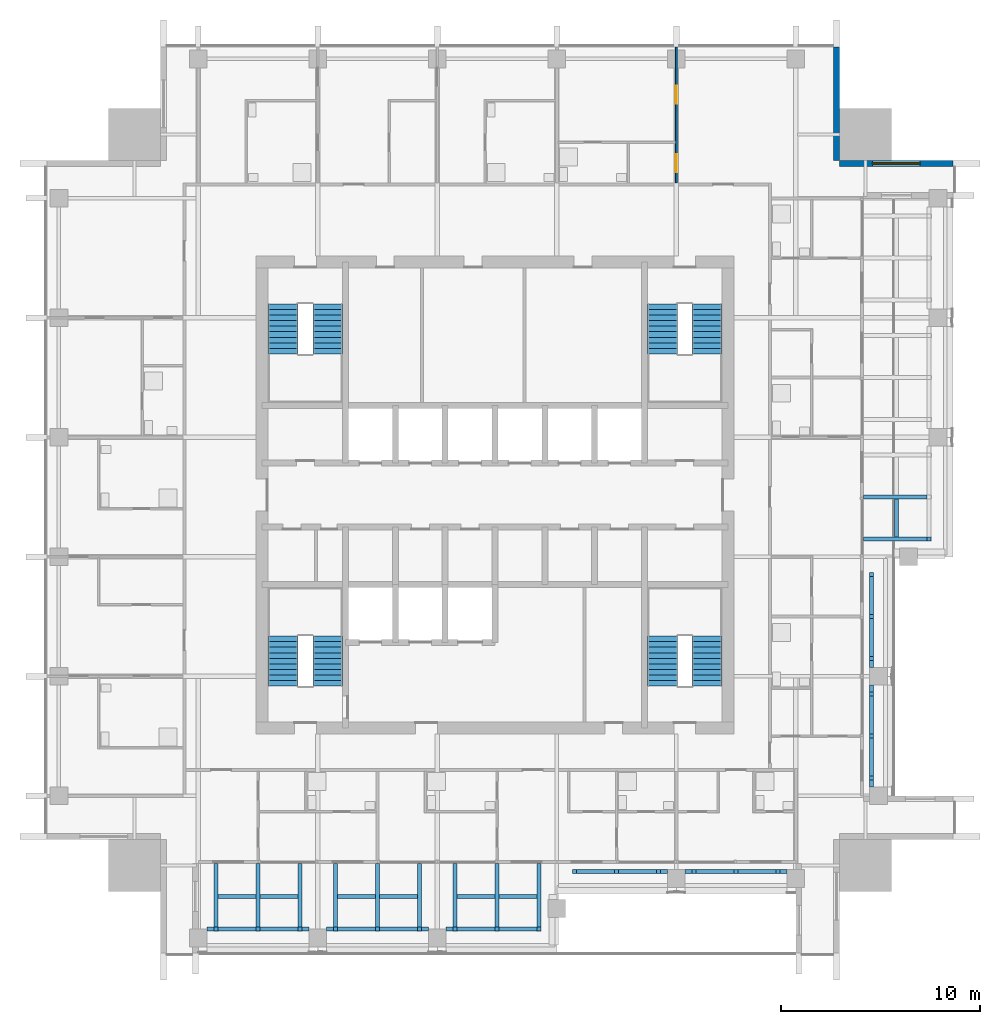
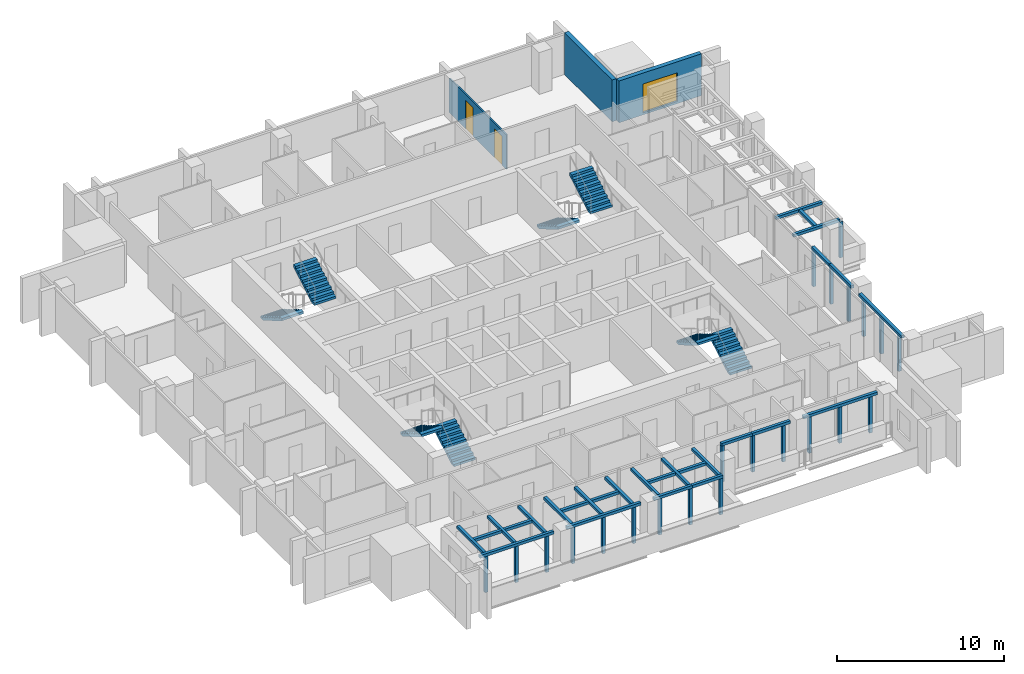
# One storey, part 13 of 17: 50 discrete accessories, 8 stair flights, 3 walls, 2 doors, 1 window, 3 openings, 4 elements without a shape of their own.
"""IFC4 building model written with IfcOpenShell, lengths in metres."""

from ifc_helpers import new_model, si_unit, direction, frame, frame_2d, origin, origin_2d, place, context, subcontext, project, spatial, polyline, rectangle, outline, extrude, material, layer, layer_set, type_object, element, fill, aggregate, save


model = new_model("IFC4")

# Units and contexts
model_context = context("Model", 3, precision=1e-05, world=origin(), true_north=direction((0.0, 1.0)))
body_context = subcontext(model_context, "Body", "Model", "MODEL_VIEW")
ifc_project = project(units=[si_unit("LENGTHUNIT", "METRE"), si_unit("AREAUNIT", "SQUARE_METRE"), si_unit("VOLUMEUNIT", "CUBIC_METRE"), si_unit("PLANEANGLEUNIT", "RADIAN"), si_unit("MASSUNIT", "GRAM", prefix="KILO")], contexts=[model_context])

# Site, building, storey
site_placement = place(None, origin())
site = spatial("IfcSite", under=ifc_project, at=site_placement, CompositionType="ELEMENT")
building_placement = place(site_placement, origin())
building = spatial("IfcBuilding", under=site, at=building_placement, Name="Amberfall Residences", CompositionType="ELEMENT")
storey_placement = place(building_placement, frame((0.0, 0.0, 216.699951171875)))
storey = spatial("IfcBuildingStorey", under=building, at=storey_placement, Name="L58", CompositionType="ELEMENT", Elevation=216.699951171875)

# Wall, opening, window
ifc_material_1 = material(Name="Pale stone cladding on insulated backing", Category="masonry")
ifc_layer_1 = layer(ifc_material_1, 0.300048828125)
ifc_layer_set_1 = layer_set([ifc_layer_1], Name="Bronze clad wall 300")
wall_type_1 = type_object("IfcWallType", Name="Bronze clad wall 300", PredefinedType="SOLIDWALL", material=ifc_layer_set_1)
wall_1_placement = place(storey_placement, frame((97.5, 62.14990234375, 0.0), z_axis=(0.0, 0.0, 1.0), x_axis=(-1.0, 0.0, 0.0)))
wall_1 = element("IfcWall", 1, at=wall_1_placement, inside=storey, type_object=wall_type_1, Name="External wall L58 NE", PredefinedType="SOLIDWALL", context=body_context, shape_type="SweptSolid", body=[
    extrude(rectangle(XDim=5.699951171875, YDim=0.300048828125, at=frame_2d((2.85009765625, 0.0))), origin(), (0.0, 0.0, 1.0), 3.050048828125),
])
opening_1_placement = place(wall_1_placement, frame((1.64990234375, 0.0, 0.14990234375)))
opening_1 = element("IfcOpeningElement", 2, at=opening_1_placement, cuts=wall_1, Name="Opening WN5", PredefinedType="OPENING", context=body_context, shape_type="SweptSolid", body=[
    extrude(rectangle(XDim=2.39990234375, YDim=2.10009765625, at=frame_2d((1.199951171875, 1.050048828125))), frame((0.0, 0.159912109375, 0.0), z_axis=(0.0, -1.0, 0.0), x_axis=(1.0, 0.0, 0.0)), (0.0, 0.0, 1.0), 0.320068359375),
])
ifc_material_2 = material(Name="Bronze aluminium framed glazing", Category="aluminium")
window_type = type_object("IfcWindowType", Name="Glazed opening 2400 x 2100 bronze", PartitioningType="DOUBLE_PANEL_VERTICAL", PredefinedType="WINDOW", material=ifc_material_2)
window_placement = place(opening_1_placement, origin())
window = element("IfcWindow", 3, at=window_placement, inside=storey, type_object=window_type, Name="Window L58 NE", OverallHeight=2.10009765625, OverallWidth=2.39990234375, PartitioningType="DOUBLE_PANEL_VERTICAL", PredefinedType="WINDOW", context=body_context, shape_type="SweptSolid", body=[
    extrude(rectangle(XDim=2.39990234375, YDim=2.10009765625, at=frame_2d((1.199951171875, 1.050048828125))), frame((0.0, 0.030029296875, 0.0), z_axis=(0.0, -1.0, 0.0), x_axis=(1.0, 0.0, 0.0)), (0.0, 0.0, 1.0), 0.06005859375),
])
fill(opening_1, window)

# Wall
wall_2_placement = place(storey_placement, frame((91.64990234375, 62.300048828125, 0.0), z_axis=(0.0, 0.0, 1.0), x_axis=(0.0, 1.0, 0.0)))
element("IfcWall", 4, at=wall_2_placement, inside=storey, type_object=wall_type_1, Name="External wall L58 NE", PredefinedType="SOLIDWALL", context=body_context, shape_type="SweptSolid", body=[
    extrude(rectangle(XDim=5.699951171875, YDim=0.300048828125, at=frame_2d((2.85009765625, 0.0))), origin(), (0.0, 0.0, 1.0), 3.050048828125),
])

# Wall, openings, doors
ifc_material_3 = material(Name="Gypsum board on metal stud")
ifc_layer_2 = layer(ifc_material_3, 0.10009765625)
ifc_layer_set_2 = layer_set([ifc_layer_2], Name="Flat partition 100")
wall_type_2 = type_object("IfcWallType", Name="Flat partition 100", PredefinedType="PARTITIONING", material=ifc_layer_set_2)
wall_3_placement = place(storey_placement, frame((83.60009765625, 61.175048828125, 0.0), z_axis=(0.0, 0.0, 1.0), x_axis=(0.0, 1.0, 0.0)))
wall_3 = element("IfcWall", 5, at=wall_3_placement, inside=storey, type_object=wall_type_2, Name="Partition 017", PredefinedType="PARTITIONING", context=body_context, shape_type="SweptSolid", body=[
    extrude(rectangle(XDim=6.824951171875, YDim=0.10009765625, at=frame_2d((3.41259765625, 0.0))), origin(), (0.0, 0.0, 1.0), 2.51611328125),
])
opening_2_placement = place(wall_3_placement, frame((0.52490234375, 0.0, 0.0)))
opening_2 = element("IfcOpeningElement", 6, at=opening_2_placement, cuts=wall_3, Name="Opening D41", PredefinedType="OPENING", context=body_context, shape_type="SweptSolid", body=[
    extrude(rectangle(XDim=0.89990234375, YDim=2.10009765625, at=frame_2d((0.449951171875, 1.050048828125))), frame((0.0, 0.06005859375, 0.0), z_axis=(0.0, -1.0, 0.0), x_axis=(1.0, 0.0, 0.0)), (0.0, 0.0, 1.0), 0.1201171875),
])
opening_3_placement = place(wall_3_placement, frame((3.97509765625, 0.0, 0.0)))
opening_3 = element("IfcOpeningElement", 7, at=opening_3_placement, cuts=wall_3, Name="Opening D41", PredefinedType="OPENING", context=body_context, shape_type="SweptSolid", body=[
    extrude(rectangle(XDim=0.89990234375, YDim=2.10009765625, at=frame_2d((0.449951171875, 1.050048828125))), frame((0.0, 0.06005859375, 0.0), z_axis=(0.0, -1.0, 0.0), x_axis=(1.0, 0.0, 0.0)), (0.0, 0.0, 1.0), 0.1201171875),
])
ifc_material_4 = material(Name="Timber", Category="wood")
door_type = type_object("IfcDoorType", Name="Internal door 900 x 2100", OperationType="SINGLE_SWING_LEFT", PredefinedType="DOOR", material=ifc_material_4)
door_1_placement = place(opening_2_placement, origin())
door_1 = element("IfcDoor", 8, at=door_1_placement, inside=storey, type_object=door_type, Name="Door 5808 kitchen", OperationType="SINGLE_SWING_LEFT", OverallHeight=2.10009765625, OverallWidth=0.89990234375, PredefinedType="DOOR", context=body_context, shape_type="SweptSolid", body=[
    extrude(rectangle(XDim=0.89990234375, YDim=2.10009765625, at=frame_2d((0.449951171875, 1.050048828125))), frame((0.0, 0.02490234375, 0.0), z_axis=(0.0, -1.0, 0.0), x_axis=(1.0, 0.0, 0.0)), (0.0, 0.0, 1.0), 0.050048828125),
])
fill(opening_2, door_1)
door_2_placement = place(opening_3_placement, origin())
door_2 = element("IfcDoor", 9, at=door_2_placement, inside=storey, type_object=door_type, Name="Door 5808 bedroom1", OperationType="SINGLE_SWING_LEFT", OverallHeight=2.10009765625, OverallWidth=0.89990234375, PredefinedType="DOOR", context=body_context, shape_type="SweptSolid", body=[
    extrude(rectangle(XDim=0.89990234375, YDim=2.10009765625, at=frame_2d((0.449951171875, 1.050048828125))), frame((0.0, 0.02490234375, 0.0), z_axis=(0.0, -1.0, 0.0), x_axis=(1.0, 0.0, 0.0)), (0.0, 0.0, 1.0), 0.050048828125),
])
fill(opening_3, door_2)

# Stair, stair flights
ifc_material_5 = material(Name="Concrete C40", Category="concrete")
stair_type = type_object("IfcStairType", Name="Exit stair 20 risers 165.0 mm", PredefinedType="HALF_TURN_STAIR", material=ifc_material_5)
stair_1_placement = place(storey_placement, origin())
stair_1 = element("IfcStair", 10, at=stair_1_placement, inside=storey, type_object=stair_type, Name="L58 Exit stair 1", PredefinedType="HALF_TURN_STAIR")
stair_flight_type = type_object("IfcStairFlightType", Name="Stair flight 10 risers 165.0 mm", PredefinedType="STRAIGHT", material=ifc_material_5)
stair_flight_1_placement = place(storey_placement, frame((66.10009765625, 35.89990234375, 0.0), z_axis=(0.0, 0.0, 1.0), x_axis=(0.0, 1.0, 0.0)))
stair_flight_1 = element("IfcStairFlight", 11, at=stair_flight_1_placement, type_object=stair_flight_type, Name="ST3 flight 1", NumberOfRisers=10, NumberOfTreads=9, PredefinedType="STRAIGHT", RiserHeight=0.165, TreadLength=0.28, context=body_context, shape_type="SweptSolid", body=[
    extrude(outline(polyline([(0.0, 0.0), (0.0, 0.1650390625), (0.280029296875, 0.1650390625), (0.280029296875, 0.330078125), (0.56005859375, 0.330078125), (0.56005859375, 0.4951171875), (0.840087890625, 0.4951171875), (0.840087890625, 0.659912109375), (1.1201171875, 0.659912109375), (1.1201171875, 0.824951171875), (1.39990234375, 0.824951171875), (1.39990234375, 0.989990234375), (1.679931640625, 0.989990234375), (1.679931640625, 1.155029296875), (1.9599609375, 1.155029296875), (1.9599609375, 1.320068359375), (2.239990234375, 1.320068359375), (2.239990234375, 1.485107421875), (2.52001953125, 1.485107421875), (2.52001953125, 1.64990234375), (2.52001953125, 1.31103515625), (0.295166015625, 0.0), (0.0, 0.0)])), frame((0.0, 0.75, 0.0), z_axis=(0.0, -1.0, 0.0), x_axis=(1.0, 0.0, 0.0)), (0.0, 0.0, 1.0), 1.5),
])
stair_flight_2_placement = place(storey_placement, frame((63.85009765625, 38.419921875, 1.650146484375), z_axis=(0.0, 0.0, 1.0), x_axis=(0.0, -1.0, 0.0)))
stair_flight_2 = element("IfcStairFlight", 12, at=stair_flight_2_placement, type_object=stair_flight_type, Name="ST3 flight 2", NumberOfRisers=10, NumberOfTreads=9, PredefinedType="STRAIGHT", RiserHeight=0.165, TreadLength=0.28, context=body_context, shape_type="SweptSolid", body=[
    extrude(outline(polyline([(0.0, 0.0), (0.0, 0.1650390625), (0.280029296875, 0.1650390625), (0.280029296875, 0.330078125), (0.56005859375, 0.330078125), (0.56005859375, 0.4951171875), (0.840087890625, 0.4951171875), (0.840087890625, 0.659912109375), (1.1201171875, 0.659912109375), (1.1201171875, 0.824951171875), (1.39990234375, 0.824951171875), (1.39990234375, 0.989990234375), (1.679931640625, 0.989990234375), (1.679931640625, 1.155029296875), (1.9599609375, 1.155029296875), (1.9599609375, 1.320068359375), (2.239990234375, 1.320068359375), (2.239990234375, 1.485107421875), (2.52001953125, 1.485107421875), (2.52001953125, 1.64990234375), (2.52001953125, 1.31103515625), (0.295166015625, 0.0), (0.0, 0.0)])), frame((0.0, 0.75, 0.0), z_axis=(0.0, -1.0, 0.0), x_axis=(1.0, 0.0, 0.0)), (0.0, 0.0, 1.0), 1.5),
])
aggregate(stair_1, [stair_flight_1, stair_flight_2])

stair_2_placement = place(storey_placement, origin())
stair_2 = element("IfcStair", 13, at=stair_2_placement, inside=storey, type_object=stair_type, Name="L58 Exit stair 2", PredefinedType="HALF_TURN_STAIR")
stair_flight_3_placement = place(storey_placement, frame((85.14990234375, 35.89990234375, 0.0), z_axis=(0.0, 0.0, 1.0), x_axis=(0.0, 1.0, 0.0)))
stair_flight_3 = element("IfcStairFlight", 14, at=stair_flight_3_placement, type_object=stair_flight_type, Name="ST3 flight 1", NumberOfRisers=10, NumberOfTreads=9, PredefinedType="STRAIGHT", RiserHeight=0.165, TreadLength=0.28, context=body_context, shape_type="SweptSolid", body=[
    extrude(outline(polyline([(0.0, 0.0), (0.0, 0.1650390625), (0.280029296875, 0.1650390625), (0.280029296875, 0.330078125), (0.56005859375, 0.330078125), (0.56005859375, 0.4951171875), (0.840087890625, 0.4951171875), (0.840087890625, 0.659912109375), (1.1201171875, 0.659912109375), (1.1201171875, 0.824951171875), (1.39990234375, 0.824951171875), (1.39990234375, 0.989990234375), (1.679931640625, 0.989990234375), (1.679931640625, 1.155029296875), (1.9599609375, 1.155029296875), (1.9599609375, 1.320068359375), (2.239990234375, 1.320068359375), (2.239990234375, 1.485107421875), (2.52001953125, 1.485107421875), (2.52001953125, 1.64990234375), (2.52001953125, 1.31103515625), (0.295166015625, 0.0), (0.0, 0.0)])), frame((0.0, 0.75, 0.0), z_axis=(0.0, -1.0, 0.0), x_axis=(1.0, 0.0, 0.0)), (0.0, 0.0, 1.0), 1.5),
])
stair_flight_4_placement = place(storey_placement, frame((82.89990234375, 38.419921875, 1.650146484375), z_axis=(0.0, 0.0, 1.0), x_axis=(0.0, -1.0, 0.0)))
stair_flight_4 = element("IfcStairFlight", 15, at=stair_flight_4_placement, type_object=stair_flight_type, Name="ST3 flight 2", NumberOfRisers=10, NumberOfTreads=9, PredefinedType="STRAIGHT", RiserHeight=0.165, TreadLength=0.28, context=body_context, shape_type="SweptSolid", body=[
    extrude(outline(polyline([(0.0, 0.0), (0.0, 0.1650390625), (0.280029296875, 0.1650390625), (0.280029296875, 0.330078125), (0.56005859375, 0.330078125), (0.56005859375, 0.4951171875), (0.840087890625, 0.4951171875), (0.840087890625, 0.659912109375), (1.1201171875, 0.659912109375), (1.1201171875, 0.824951171875), (1.39990234375, 0.824951171875), (1.39990234375, 0.989990234375), (1.679931640625, 0.989990234375), (1.679931640625, 1.155029296875), (1.9599609375, 1.155029296875), (1.9599609375, 1.320068359375), (2.239990234375, 1.320068359375), (2.239990234375, 1.485107421875), (2.52001953125, 1.485107421875), (2.52001953125, 1.64990234375), (2.52001953125, 1.31103515625), (0.295166015625, 0.0), (0.0, 0.0)])), frame((0.0, 0.75, 0.0), z_axis=(0.0, -1.0, 0.0), x_axis=(1.0, 0.0, 0.0)), (0.0, 0.0, 1.0), 1.5),
])
aggregate(stair_2, [stair_flight_3, stair_flight_4])

stair_3_placement = place(storey_placement, origin())
stair_3 = element("IfcStair", 16, at=stair_3_placement, inside=storey, type_object=stair_type, Name="L58 Exit stair 3", PredefinedType="HALF_TURN_STAIR")
stair_flight_5_placement = place(storey_placement, frame((82.89990234375, 55.10009765625, 0.0), z_axis=(0.0, 0.0, 1.0), x_axis=(0.0, -1.0, 0.0)))
stair_flight_5 = element("IfcStairFlight", 17, at=stair_flight_5_placement, type_object=stair_flight_type, Name="ST3 flight 1", NumberOfRisers=10, NumberOfTreads=9, PredefinedType="STRAIGHT", RiserHeight=0.165, TreadLength=0.28, context=body_context, shape_type="SweptSolid", body=[
    extrude(outline(polyline([(0.0, 0.0), (0.0, 0.1650390625), (0.280029296875, 0.1650390625), (0.280029296875, 0.330078125), (0.56005859375, 0.330078125), (0.56005859375, 0.4951171875), (0.840087890625, 0.4951171875), (0.840087890625, 0.659912109375), (1.1201171875, 0.659912109375), (1.1201171875, 0.824951171875), (1.39990234375, 0.824951171875), (1.39990234375, 0.989990234375), (1.679931640625, 0.989990234375), (1.679931640625, 1.155029296875), (1.9599609375, 1.155029296875), (1.9599609375, 1.320068359375), (2.239990234375, 1.320068359375), (2.239990234375, 1.485107421875), (2.52001953125, 1.485107421875), (2.52001953125, 1.64990234375), (2.52001953125, 1.31103515625), (0.295166015625, 0.0), (0.0, 0.0)])), frame((0.0, 0.75, 0.0), z_axis=(0.0, -1.0, 0.0), x_axis=(1.0, 0.0, 0.0)), (0.0, 0.0, 1.0), 1.5),
])
stair_flight_6_placement = place(storey_placement, frame((85.14990234375, 52.580078125, 1.650146484375), z_axis=(0.0, 0.0, 1.0), x_axis=(0.0, 1.0, 0.0)))
stair_flight_6 = element("IfcStairFlight", 18, at=stair_flight_6_placement, type_object=stair_flight_type, Name="ST3 flight 2", NumberOfRisers=10, NumberOfTreads=9, PredefinedType="STRAIGHT", RiserHeight=0.165, TreadLength=0.28, context=body_context, shape_type="SweptSolid", body=[
    extrude(outline(polyline([(0.0, 0.0), (0.0, 0.1650390625), (0.280029296875, 0.1650390625), (0.280029296875, 0.330078125), (0.56005859375, 0.330078125), (0.56005859375, 0.4951171875), (0.840087890625, 0.4951171875), (0.840087890625, 0.659912109375), (1.1201171875, 0.659912109375), (1.1201171875, 0.824951171875), (1.39990234375, 0.824951171875), (1.39990234375, 0.989990234375), (1.679931640625, 0.989990234375), (1.679931640625, 1.155029296875), (1.9599609375, 1.155029296875), (1.9599609375, 1.320068359375), (2.239990234375, 1.320068359375), (2.239990234375, 1.485107421875), (2.52001953125, 1.485107421875), (2.52001953125, 1.64990234375), (2.52001953125, 1.31103515625), (0.295166015625, 0.0), (0.0, 0.0)])), frame((0.0, 0.75, 0.0), z_axis=(0.0, -1.0, 0.0), x_axis=(1.0, 0.0, 0.0)), (0.0, 0.0, 1.0), 1.5),
])
aggregate(stair_3, [stair_flight_5, stair_flight_6])

stair_4_placement = place(storey_placement, origin())
stair_4 = element("IfcStair", 19, at=stair_4_placement, inside=storey, type_object=stair_type, Name="L58 Exit stair 4", PredefinedType="HALF_TURN_STAIR")
stair_flight_7_placement = place(storey_placement, frame((63.85009765625, 55.10009765625, 0.0), z_axis=(0.0, 0.0, 1.0), x_axis=(0.0, -1.0, 0.0)))
stair_flight_7 = element("IfcStairFlight", 20, at=stair_flight_7_placement, type_object=stair_flight_type, Name="ST3 flight 1", NumberOfRisers=10, NumberOfTreads=9, PredefinedType="STRAIGHT", RiserHeight=0.165, TreadLength=0.28, context=body_context, shape_type="SweptSolid", body=[
    extrude(outline(polyline([(0.0, 0.0), (0.0, 0.1650390625), (0.280029296875, 0.1650390625), (0.280029296875, 0.330078125), (0.56005859375, 0.330078125), (0.56005859375, 0.4951171875), (0.840087890625, 0.4951171875), (0.840087890625, 0.659912109375), (1.1201171875, 0.659912109375), (1.1201171875, 0.824951171875), (1.39990234375, 0.824951171875), (1.39990234375, 0.989990234375), (1.679931640625, 0.989990234375), (1.679931640625, 1.155029296875), (1.9599609375, 1.155029296875), (1.9599609375, 1.320068359375), (2.239990234375, 1.320068359375), (2.239990234375, 1.485107421875), (2.52001953125, 1.485107421875), (2.52001953125, 1.64990234375), (2.52001953125, 1.31103515625), (0.295166015625, 0.0), (0.0, 0.0)])), frame((0.0, 0.75, 0.0), z_axis=(0.0, -1.0, 0.0), x_axis=(1.0, 0.0, 0.0)), (0.0, 0.0, 1.0), 1.5),
])
stair_flight_8_placement = place(storey_placement, frame((66.10009765625, 52.580078125, 1.650146484375), z_axis=(0.0, 0.0, 1.0), x_axis=(0.0, 1.0, 0.0)))
stair_flight_8 = element("IfcStairFlight", 21, at=stair_flight_8_placement, type_object=stair_flight_type, Name="ST3 flight 2", NumberOfRisers=10, NumberOfTreads=9, PredefinedType="STRAIGHT", RiserHeight=0.165, TreadLength=0.28, context=body_context, shape_type="SweptSolid", body=[
    extrude(outline(polyline([(0.0, 0.0), (0.0, 0.1650390625), (0.280029296875, 0.1650390625), (0.280029296875, 0.330078125), (0.56005859375, 0.330078125), (0.56005859375, 0.4951171875), (0.840087890625, 0.4951171875), (0.840087890625, 0.659912109375), (1.1201171875, 0.659912109375), (1.1201171875, 0.824951171875), (1.39990234375, 0.824951171875), (1.39990234375, 0.989990234375), (1.679931640625, 0.989990234375), (1.679931640625, 1.155029296875), (1.9599609375, 1.155029296875), (1.9599609375, 1.320068359375), (2.239990234375, 1.320068359375), (2.239990234375, 1.485107421875), (2.52001953125, 1.485107421875), (2.52001953125, 1.64990234375), (2.52001953125, 1.31103515625), (0.295166015625, 0.0), (0.0, 0.0)])), frame((0.0, 0.75, 0.0), z_axis=(0.0, -1.0, 0.0), x_axis=(1.0, 0.0, 0.0)), (0.0, 0.0, 1.0), 1.5),
])
aggregate(stair_4, [stair_flight_7, stair_flight_8])

# Discrete accessories
for number, where, z_axis, x_axis, name in (
    (22, (60.5, 23.699951171875, 0.0), (0.0, 0.0, 1.0), (1.0, 0.0, 0.0), "Trellis post L58 S1.1"),
    (23, (62.60009765625, 23.699951171875, 0.0), (0.0, 0.0, 1.0), (1.0, 0.0, 0.0), "Trellis post L58 S1.2"),
    (24, (64.699951171875, 23.699951171875, 0.0), (0.0, 0.0, 1.0), (1.0, 0.0, 0.0), "Trellis post L58 S1.3"),
):
    element("IfcDiscreteAccessory", number, at=place(storey_placement, frame(where, z_axis=z_axis, x_axis=x_axis)), inside=storey, Name=name, ObjectType="TRELLIS POST", PredefinedType="USERDEFINED", context=body_context, shape_type="SweptSolid", body=[
        extrude(rectangle(XDim=0.199951171875, YDim=0.199951171875, at=origin_2d()), origin(), (0.0, 0.0, 1.0), 2.6298828125),
    ])
discrete_accessory_1_placement = place(storey_placement, frame((62.60009765625, 23.699951171875, 2.6298828125), z_axis=(0.0, 0.0, 1.0), x_axis=(1.0, 0.0, 0.0)))
element("IfcDiscreteAccessory", 25, at=discrete_accessory_1_placement, inside=storey, Name="Trellis beam L58 S1.e1", ObjectType="TRELLIS BEAM", PredefinedType="USERDEFINED", context=body_context, shape_type="SweptSolid", body=[
    extrude(rectangle(XDim=5.10009765625, YDim=0.199951171875, at=origin_2d()), origin(), (0.0, 0.0, 1.0), 0.199951171875),
])
for number, where, z_axis, x_axis, name in (
    (26, (61.550048828125, 25.35009765625, 2.6298828125), (0.0, 0.0, 1.0), (1.0, 0.0, 0.0), "Trellis beam L58 S1.c1.1"),
    (27, (63.64990234375, 25.35009765625, 2.6298828125), (0.0, 0.0, 1.0), (1.0, 0.0, 0.0), "Trellis beam L58 S1.c1.2"),
):
    element("IfcDiscreteAccessory", number, at=place(storey_placement, frame(where, z_axis=z_axis, x_axis=x_axis)), inside=storey, Name=name, ObjectType="TRELLIS BEAM", PredefinedType="USERDEFINED", context=body_context, shape_type="SweptSolid", body=[
        extrude(rectangle(XDim=1.89990234375, YDim=0.199951171875, at=origin_2d()), origin(), (0.0, 0.0, 1.0), 0.199951171875),
    ])
for number, where, z_axis, x_axis, name in (
    (28, (60.5, 25.39990234375, 2.6298828125), (0.0, 0.0, 1.0), (0.0, 1.0, 0.0), "Trellis beam L58 S1.b1"),
    (29, (62.60009765625, 25.39990234375, 2.6298828125), (0.0, 0.0, 1.0), (0.0, 1.0, 0.0), "Trellis beam L58 S1.b2"),
    (30, (64.699951171875, 25.39990234375, 2.6298828125), (0.0, 0.0, 1.0), (0.0, 1.0, 0.0), "Trellis beam L58 S1.b3"),
):
    element("IfcDiscreteAccessory", number, at=place(storey_placement, frame(where, z_axis=z_axis, x_axis=x_axis)), inside=storey, Name=name, ObjectType="TRELLIS BEAM", PredefinedType="USERDEFINED", context=body_context, shape_type="SweptSolid", body=[
        extrude(rectangle(XDim=3.199951171875, YDim=0.199951171875, at=origin_2d()), origin(), (0.0, 0.0, 1.0), 0.199951171875),
    ])
for number, where, z_axis, x_axis, name in (
    (31, (66.5, 23.699951171875, 0.0), (0.0, 0.0, 1.0), (1.0, 0.0, 0.0), "Trellis post L58 S2.1"),
    (32, (68.60009765625, 23.699951171875, 0.0), (0.0, 0.0, 1.0), (1.0, 0.0, 0.0), "Trellis post L58 S2.2"),
    (33, (70.699951171875, 23.699951171875, 0.0), (0.0, 0.0, 1.0), (1.0, 0.0, 0.0), "Trellis post L58 S2.3"),
):
    element("IfcDiscreteAccessory", number, at=place(storey_placement, frame(where, z_axis=z_axis, x_axis=x_axis)), inside=storey, Name=name, ObjectType="TRELLIS POST", PredefinedType="USERDEFINED", context=body_context, shape_type="SweptSolid", body=[
        extrude(rectangle(XDim=0.199951171875, YDim=0.199951171875, at=origin_2d()), origin(), (0.0, 0.0, 1.0), 2.6298828125),
    ])
discrete_accessory_2_placement = place(storey_placement, frame((68.60009765625, 23.699951171875, 2.6298828125), z_axis=(0.0, 0.0, 1.0), x_axis=(1.0, 0.0, 0.0)))
element("IfcDiscreteAccessory", 34, at=discrete_accessory_2_placement, inside=storey, Name="Trellis beam L58 S2.e1", ObjectType="TRELLIS BEAM", PredefinedType="USERDEFINED", context=body_context, shape_type="SweptSolid", body=[
    extrude(rectangle(XDim=5.10009765625, YDim=0.199951171875, at=origin_2d()), origin(), (0.0, 0.0, 1.0), 0.199951171875),
])
for number, where, z_axis, x_axis, name in (
    (35, (67.550048828125, 25.35009765625, 2.6298828125), (0.0, 0.0, 1.0), (1.0, 0.0, 0.0), "Trellis beam L58 S2.c1.1"),
    (36, (69.64990234375, 25.35009765625, 2.6298828125), (0.0, 0.0, 1.0), (1.0, 0.0, 0.0), "Trellis beam L58 S2.c1.2"),
):
    element("IfcDiscreteAccessory", number, at=place(storey_placement, frame(where, z_axis=z_axis, x_axis=x_axis)), inside=storey, Name=name, ObjectType="TRELLIS BEAM", PredefinedType="USERDEFINED", context=body_context, shape_type="SweptSolid", body=[
        extrude(rectangle(XDim=1.89990234375, YDim=0.199951171875, at=origin_2d()), origin(), (0.0, 0.0, 1.0), 0.199951171875),
    ])
for number, where, z_axis, x_axis, name in (
    (37, (66.5, 25.39990234375, 2.6298828125), (0.0, 0.0, 1.0), (0.0, 1.0, 0.0), "Trellis beam L58 S2.b1"),
    (38, (68.60009765625, 25.39990234375, 2.6298828125), (0.0, 0.0, 1.0), (0.0, 1.0, 0.0), "Trellis beam L58 S2.b2"),
    (39, (70.699951171875, 25.39990234375, 2.6298828125), (0.0, 0.0, 1.0), (0.0, 1.0, 0.0), "Trellis beam L58 S2.b3"),
):
    element("IfcDiscreteAccessory", number, at=place(storey_placement, frame(where, z_axis=z_axis, x_axis=x_axis)), inside=storey, Name=name, ObjectType="TRELLIS BEAM", PredefinedType="USERDEFINED", context=body_context, shape_type="SweptSolid", body=[
        extrude(rectangle(XDim=3.199951171875, YDim=0.199951171875, at=origin_2d()), origin(), (0.0, 0.0, 1.0), 0.199951171875),
    ])
for number, where, z_axis, x_axis, name in (
    (40, (72.5, 23.699951171875, 0.0), (0.0, 0.0, 1.0), (1.0, 0.0, 0.0), "Trellis post L58 S3.1"),
    (41, (74.60009765625, 23.699951171875, 0.0), (0.0, 0.0, 1.0), (1.0, 0.0, 0.0), "Trellis post L58 S3.2"),
    (42, (76.699951171875, 23.699951171875, 0.0), (0.0, 0.0, 1.0), (1.0, 0.0, 0.0), "Trellis post L58 S3.3"),
):
    element("IfcDiscreteAccessory", number, at=place(storey_placement, frame(where, z_axis=z_axis, x_axis=x_axis)), inside=storey, Name=name, ObjectType="TRELLIS POST", PredefinedType="USERDEFINED", context=body_context, shape_type="SweptSolid", body=[
        extrude(rectangle(XDim=0.199951171875, YDim=0.199951171875, at=origin_2d()), origin(), (0.0, 0.0, 1.0), 2.6298828125),
    ])
discrete_accessory_3_placement = place(storey_placement, frame((73.375, 23.699951171875, 2.6298828125), z_axis=(0.0, 0.0, 1.0), x_axis=(1.0, 0.0, 0.0)))
element("IfcDiscreteAccessory", 43, at=discrete_accessory_3_placement, inside=storey, Name="Trellis beam L58 S3.e1", ObjectType="TRELLIS BEAM", PredefinedType="USERDEFINED", context=body_context, shape_type="SweptSolid", body=[
    extrude(rectangle(XDim=2.64990234375, YDim=0.199951171875, at=origin_2d()), origin(), (0.0, 0.0, 1.0), 0.199951171875),
])
discrete_accessory_4_placement = place(storey_placement, frame((75.75, 23.699951171875, 2.6298828125), z_axis=(0.0, 0.0, 1.0), x_axis=(1.0, 0.0, 0.0)))
element("IfcDiscreteAccessory", 44, at=discrete_accessory_4_placement, inside=storey, Name="Trellis beam L58 S3.e1.2", ObjectType="TRELLIS BEAM", PredefinedType="USERDEFINED", context=body_context, shape_type="SweptSolid", body=[
    extrude(rectangle(XDim=2.10009765625, YDim=0.199951171875, at=origin_2d()), origin(), (0.0, 0.0, 1.0), 0.199951171875),
])
for number, where, z_axis, x_axis, name in (
    (45, (73.550048828125, 25.35009765625, 2.6298828125), (0.0, 0.0, 1.0), (1.0, 0.0, 0.0), "Trellis beam L58 S3.c1.1"),
    (46, (75.64990234375, 25.35009765625, 2.6298828125), (0.0, 0.0, 1.0), (1.0, 0.0, 0.0), "Trellis beam L58 S3.c1.2"),
):
    element("IfcDiscreteAccessory", number, at=place(storey_placement, frame(where, z_axis=z_axis, x_axis=x_axis)), inside=storey, Name=name, ObjectType="TRELLIS BEAM", PredefinedType="USERDEFINED", context=body_context, shape_type="SweptSolid", body=[
        extrude(rectangle(XDim=1.89990234375, YDim=0.199951171875, at=origin_2d()), origin(), (0.0, 0.0, 1.0), 0.199951171875),
    ])
for number, where, z_axis, x_axis, name in (
    (47, (72.5, 25.39990234375, 2.6298828125), (0.0, 0.0, 1.0), (0.0, 1.0, 0.0), "Trellis beam L58 S3.b1"),
    (48, (74.60009765625, 25.39990234375, 2.6298828125), (0.0, 0.0, 1.0), (0.0, 1.0, 0.0), "Trellis beam L58 S3.b2"),
    (49, (76.699951171875, 25.39990234375, 2.6298828125), (0.0, 0.0, 1.0), (0.0, 1.0, 0.0), "Trellis beam L58 S3.b3"),
):
    element("IfcDiscreteAccessory", number, at=place(storey_placement, frame(where, z_axis=z_axis, x_axis=x_axis)), inside=storey, Name=name, ObjectType="TRELLIS BEAM", PredefinedType="USERDEFINED", context=body_context, shape_type="SweptSolid", body=[
        extrude(rectangle(XDim=3.199951171875, YDim=0.199951171875, at=origin_2d()), origin(), (0.0, 0.0, 1.0), 0.199951171875),
    ])
for number, where, z_axis, x_axis, name in (
    (50, (78.5, 26.60009765625, 0.0), (0.0, 0.0, 1.0), (1.0, 0.0, 0.0), "Trellis post L58 S4.1"),
    (51, (80.60009765625, 26.60009765625, 0.0), (0.0, 0.0, 1.0), (1.0, 0.0, 0.0), "Trellis post L58 S4.2"),
    (52, (82.699951171875, 26.60009765625, 0.0), (0.0, 0.0, 1.0), (1.0, 0.0, 0.0), "Trellis post L58 S4.3"),
):
    element("IfcDiscreteAccessory", number, at=place(storey_placement, frame(where, z_axis=z_axis, x_axis=x_axis)), inside=storey, Name=name, ObjectType="TRELLIS POST", PredefinedType="USERDEFINED", context=body_context, shape_type="SweptSolid", body=[
        extrude(rectangle(XDim=0.199951171875, YDim=0.199951171875, at=origin_2d()), origin(), (0.0, 0.0, 1.0), 2.6298828125),
    ])
discrete_accessory_5_placement = place(storey_placement, frame((81.824951171875, 26.60009765625, 2.6298828125), z_axis=(0.0, 0.0, 1.0), x_axis=(1.0, 0.0, 0.0)))
element("IfcDiscreteAccessory", 53, at=discrete_accessory_5_placement, inside=storey, Name="Trellis beam L58 S4.e1", ObjectType="TRELLIS BEAM", PredefinedType="USERDEFINED", context=body_context, shape_type="SweptSolid", body=[
    extrude(rectangle(XDim=2.64990234375, YDim=0.199951171875, at=origin_2d()), origin(), (0.0, 0.0, 1.0), 0.199951171875),
])
discrete_accessory_6_placement = place(storey_placement, frame((79.449951171875, 26.60009765625, 2.6298828125), z_axis=(0.0, 0.0, 1.0), x_axis=(1.0, 0.0, 0.0)))
element("IfcDiscreteAccessory", 54, at=discrete_accessory_6_placement, inside=storey, Name="Trellis beam L58 S4.e1.2", ObjectType="TRELLIS BEAM", PredefinedType="USERDEFINED", context=body_context, shape_type="SweptSolid", body=[
    extrude(rectangle(XDim=2.10009765625, YDim=0.199951171875, at=origin_2d()), origin(), (0.0, 0.0, 1.0), 0.199951171875),
])
for number, where, z_axis, x_axis, name in (
    (55, (84.5, 26.60009765625, 0.0), (0.0, 0.0, 1.0), (1.0, 0.0, 0.0), "Trellis post L58 S5.1"),
    (56, (86.60009765625, 26.60009765625, 0.0), (0.0, 0.0, 1.0), (1.0, 0.0, 0.0), "Trellis post L58 S5.2"),
    (57, (88.699951171875, 26.60009765625, 0.0), (0.0, 0.0, 1.0), (1.0, 0.0, 0.0), "Trellis post L58 S5.3"),
):
    element("IfcDiscreteAccessory", number, at=place(storey_placement, frame(where, z_axis=z_axis, x_axis=x_axis)), inside=storey, Name=name, ObjectType="TRELLIS POST", PredefinedType="USERDEFINED", context=body_context, shape_type="SweptSolid", body=[
        extrude(rectangle(XDim=0.199951171875, YDim=0.199951171875, at=origin_2d()), origin(), (0.0, 0.0, 1.0), 2.6298828125),
    ])
discrete_accessory_7_placement = place(storey_placement, frame((86.60009765625, 26.60009765625, 2.6298828125), z_axis=(0.0, 0.0, 1.0), x_axis=(1.0, 0.0, 0.0)))
element("IfcDiscreteAccessory", 58, at=discrete_accessory_7_placement, inside=storey, Name="Trellis beam L58 S5.e1", ObjectType="TRELLIS BEAM", PredefinedType="USERDEFINED", context=body_context, shape_type="SweptSolid", body=[
    extrude(rectangle(XDim=5.10009765625, YDim=0.199951171875, at=origin_2d()), origin(), (0.0, 0.0, 1.0), 0.199951171875),
])
for number, where, z_axis, x_axis, name in (
    (59, (93.39990234375, 31.300048828125, 0.0), (0.0, 0.0, 1.0), (1.0, 0.0, 0.0), "Trellis post L58 E1.1"),
    (60, (93.39990234375, 33.39990234375, 0.0), (0.0, 0.0, 1.0), (1.0, 0.0, 0.0), "Trellis post L58 E1.2"),
    (61, (93.39990234375, 35.5, 0.0), (0.0, 0.0, 1.0), (1.0, 0.0, 0.0), "Trellis post L58 E1.3"),
):
    element("IfcDiscreteAccessory", number, at=place(storey_placement, frame(where, z_axis=z_axis, x_axis=x_axis)), inside=storey, Name=name, ObjectType="TRELLIS POST", PredefinedType="USERDEFINED", context=body_context, shape_type="SweptSolid", body=[
        extrude(rectangle(XDim=0.199951171875, YDim=0.199951171875, at=origin_2d()), origin(), (0.0, 0.0, 1.0), 2.6298828125),
    ])
discrete_accessory_8_placement = place(storey_placement, frame((93.39990234375, 33.39990234375, 2.6298828125), z_axis=(0.0, 0.0, 1.0), x_axis=(0.0, 1.0, 0.0)))
element("IfcDiscreteAccessory", 62, at=discrete_accessory_8_placement, inside=storey, Name="Trellis beam L58 E1.e1", ObjectType="TRELLIS BEAM", PredefinedType="USERDEFINED", context=body_context, shape_type="SweptSolid", body=[
    extrude(rectangle(XDim=5.10009765625, YDim=0.199951171875, at=origin_2d()), origin(), (0.0, 0.0, 1.0), 0.199951171875),
])
for number, where, z_axis, x_axis, name in (
    (63, (93.39990234375, 37.300048828125, 0.0), (0.0, 0.0, 1.0), (1.0, 0.0, 0.0), "Trellis post L58 E2.1"),
    (64, (93.39990234375, 39.39990234375, 0.0), (0.0, 0.0, 1.0), (1.0, 0.0, 0.0), "Trellis post L58 E2.2"),
    (65, (93.39990234375, 41.5, 0.0), (0.0, 0.0, 1.0), (1.0, 0.0, 0.0), "Trellis post L58 E2.3"),
):
    element("IfcDiscreteAccessory", number, at=place(storey_placement, frame(where, z_axis=z_axis, x_axis=x_axis)), inside=storey, Name=name, ObjectType="TRELLIS POST", PredefinedType="USERDEFINED", context=body_context, shape_type="SweptSolid", body=[
        extrude(rectangle(XDim=0.199951171875, YDim=0.199951171875, at=origin_2d()), origin(), (0.0, 0.0, 1.0), 2.6298828125),
    ])
discrete_accessory_9_placement = place(storey_placement, frame((93.39990234375, 38.175048828125, 2.6298828125), z_axis=(0.0, 0.0, 1.0), x_axis=(0.0, 1.0, 0.0)))
element("IfcDiscreteAccessory", 66, at=discrete_accessory_9_placement, inside=storey, Name="Trellis beam L58 E2.e1", ObjectType="TRELLIS BEAM", PredefinedType="USERDEFINED", context=body_context, shape_type="SweptSolid", body=[
    extrude(rectangle(XDim=2.64990234375, YDim=0.199951171875, at=origin_2d()), origin(), (0.0, 0.0, 1.0), 0.199951171875),
])
discrete_accessory_10_placement = place(storey_placement, frame((93.39990234375, 40.550048828125, 2.6298828125), z_axis=(0.0, 0.0, 1.0), x_axis=(0.0, 1.0, 0.0)))
element("IfcDiscreteAccessory", 67, at=discrete_accessory_10_placement, inside=storey, Name="Trellis beam L58 E2.e1.2", ObjectType="TRELLIS BEAM", PredefinedType="USERDEFINED", context=body_context, shape_type="SweptSolid", body=[
    extrude(rectangle(XDim=2.10009765625, YDim=0.199951171875, at=origin_2d()), origin(), (0.0, 0.0, 1.0), 0.199951171875),
])
discrete_accessory_11_placement = place(storey_placement, frame((96.300048828125, 43.300048828125, 0.0), z_axis=(0.0, 0.0, 1.0), x_axis=(1.0, 0.0, 0.0)))
element("IfcDiscreteAccessory", 68, at=discrete_accessory_11_placement, inside=storey, Name="Trellis post L58 E3.1", ObjectType="TRELLIS POST", PredefinedType="USERDEFINED", context=body_context, shape_type="SweptSolid", body=[
    extrude(rectangle(XDim=0.199951171875, YDim=0.199951171875, at=origin_2d()), origin(), (0.0, 0.0, 1.0), 2.6298828125),
])
discrete_accessory_12_placement = place(storey_placement, frame((94.64990234375, 44.35009765625, 2.6298828125), z_axis=(0.0, 0.0, 1.0), x_axis=(0.0, 1.0, 0.0)))
element("IfcDiscreteAccessory", 69, at=discrete_accessory_12_placement, inside=storey, Name="Trellis beam L58 E3.c1.1", ObjectType="TRELLIS BEAM", PredefinedType="USERDEFINED", context=body_context, shape_type="SweptSolid", body=[
    extrude(rectangle(XDim=1.89990234375, YDim=0.199951171875, at=origin_2d()), origin(), (0.0, 0.0, 1.0), 0.199951171875),
])
for number, where, z_axis, x_axis, name in (
    (70, (94.60009765625, 43.300048828125, 2.6298828125), (0.0, 0.0, 1.0), (-1.0, 0.0, 0.0), "Trellis beam L58 E3.b1"),
    (71, (94.60009765625, 45.39990234375, 2.6298828125), (0.0, 0.0, 1.0), (-1.0, 0.0, 0.0), "Trellis beam L58 E3.b2"),
):
    element("IfcDiscreteAccessory", number, at=place(storey_placement, frame(where, z_axis=z_axis, x_axis=x_axis)), inside=storey, Name=name, ObjectType="TRELLIS BEAM", PredefinedType="USERDEFINED", context=body_context, shape_type="SweptSolid", body=[
        extrude(rectangle(XDim=3.199951171875, YDim=0.199951171875, at=origin_2d()), origin(), (0.0, 0.0, 1.0), 0.199951171875),
    ])

save(model, "model.ifc")
